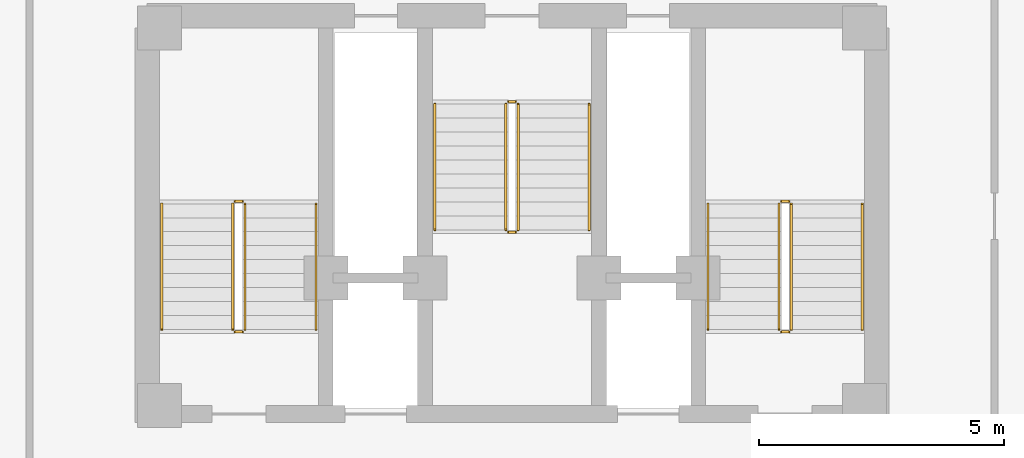
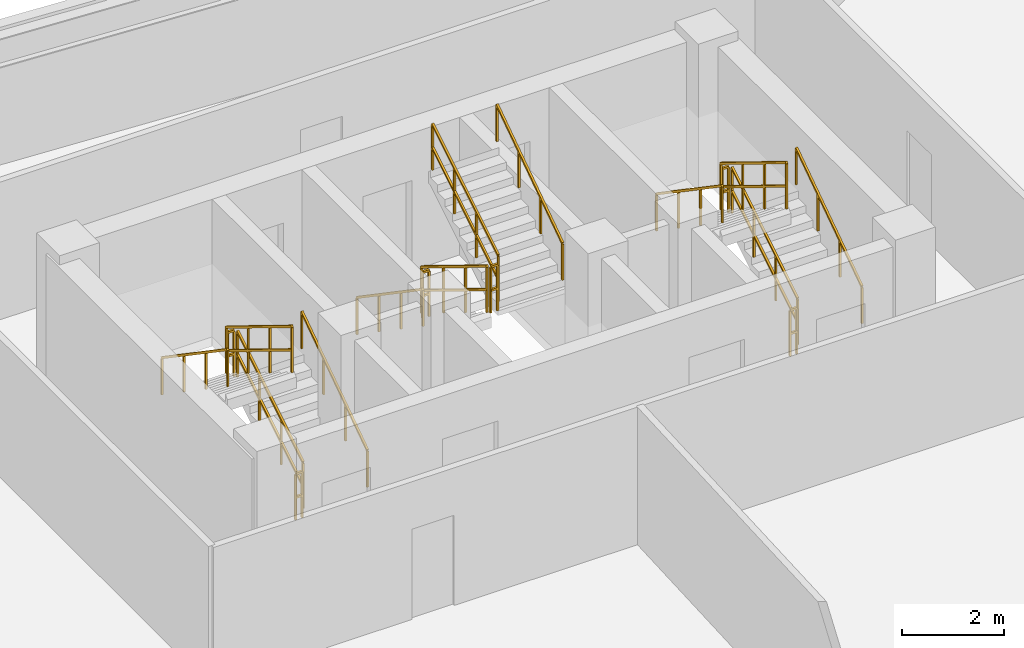
# One storey, part 8 of 8: 18 railings.
"""IFC4 building model written with IfcOpenShell, lengths in metres."""

import ifcopenshell
import ifcopenshell.guid

model = None  # the IFC model being written
_history = None  # IfcOwnerHistory: only IFC2X3 demands one
_inside = {}  # id of a spatial element -> (the spatial element, [elements in it])
_under = {}  # id of a project, library or spatial element -> (it, [spatial elements below it])
_declared = {}  # id of a project -> (the project, [libraries it declares])
_typed = {}  # id of a type object -> (the type object, [elements of that type])
_made_of = {}  # id of a material, layer set ... -> (it, [elements and type objects made of it])


def new_model(schema):
    """Start an empty IFC model of exactly this schema.

    Asked for "IFC4X3", IfcOpenShell would pick the latest addendum, in which some entities
    have other attributes; the version numbers below select the first issue.
    IFC2X3 requires an IfcOwnerHistory on every rooted entity: one is made here for all.
    """
    global model, _history
    if schema == "IFC4X3":
        model = ifcopenshell.file(schema_version=(4, 3, 0, 0))
    else:
        model = ifcopenshell.file(schema=schema)
    _inside.clear()
    _under.clear()
    _declared.clear()
    _typed.clear()
    _made_of.clear()
    _history = None
    if model.schema == "IFC2X3":
        org = make("IfcOrganization", Name="unknown")
        user = make(
            "IfcPersonAndOrganization",
            ThePerson=make("IfcPerson", FamilyName="unknown"),
            TheOrganization=org,
        )
        app = make(
            "IfcApplication",
            ApplicationDeveloper=org,
            Version="unknown",
            ApplicationFullName="unknown",
            ApplicationIdentifier="unknown",
        )
        _history = make(
            "IfcOwnerHistory",
            OwningUser=user,
            OwningApplication=app,
            ChangeAction="ADDED",
            CreationDate=0,
        )
    return model


def make(cls, **values):
    """One entity of the class cls with the attributes given. An attribute that is None is left unset."""
    return model.create_entity(
        cls, **{name: value for name, value in values.items() if value is not None}
    )


def rooted(cls, **values):
    """An entity with a GlobalId (a new one), such as an element, a storey or a relation."""
    return make(cls, GlobalId=ifcopenshell.guid.new(), OwnerHistory=_history, **values)


def si_unit(unit_type, name, prefix=None):
    """IfcSIUnit, for example si_unit("LENGTHUNIT", "METRE", prefix="MILLI")."""
    return make("IfcSIUnit", UnitType=unit_type, Prefix=prefix, Name=name)


def assignment(units):
    """IfcUnitAssignment: the units of a project."""
    return None if units is None else make("IfcUnitAssignment", Units=units)


def point(xyz):
    """IfcCartesianPoint."""
    return None if xyz is None else make("IfcCartesianPoint", Coordinates=xyz)


def direction(xyz):
    """IfcDirection."""
    return None if xyz is None else make("IfcDirection", DirectionRatios=xyz)


def frame(location, z_axis=None, x_axis=None):
    """IfcAxis2Placement3D, a coordinate frame: its origin and axes. An axis left out is left unset."""
    return make(
        "IfcAxis2Placement3D",
        Location=point(location),
        Axis=direction(z_axis),
        RefDirection=direction(x_axis),
    )


def frame_2d(location, x_axis=None):
    """IfcAxis2Placement2D, a coordinate frame in the plane: its origin and x axis."""
    return make(
        "IfcAxis2Placement2D", Location=point(location), RefDirection=direction(x_axis)
    )


def origin():
    """The frame at (0, 0, 0) with its axes left unset."""
    return frame((0.0, 0.0, 0.0))


def origin_2d():
    """The frame at (0, 0) in the plane with its x axis left unset."""
    return frame_2d((0.0, 0.0))


def place(relative_to, where):
    """IfcLocalPlacement: puts the frame where relative to a parent placement (None: the world)."""
    return make(
        "IfcLocalPlacement", PlacementRelTo=relative_to, RelativePlacement=where
    )


def context(
    kind, dimensions, precision=None, world=None, true_north=None, identifier=None
):
    """IfcGeometricRepresentationContext, for example the 3D "Model" context."""
    return make(
        "IfcGeometricRepresentationContext",
        ContextIdentifier=identifier,
        ContextType=kind,
        CoordinateSpaceDimension=dimensions,
        Precision=precision,
        WorldCoordinateSystem=world,
        TrueNorth=true_north,
    )


def subcontext(parent, identifier, kind, view, scale=None):
    """IfcGeometricRepresentationSubContext, for example "Body" below "Model"."""
    return make(
        "IfcGeometricRepresentationSubContext",
        ContextIdentifier=identifier,
        ContextType=kind,
        ParentContext=parent,
        TargetScale=scale,
        TargetView=view,
    )


def project(units=None, contexts=None):
    """IfcProject with its units and contexts."""
    return rooted(
        "IfcProject",
        Name="project",
        RepresentationContexts=contexts,
        UnitsInContext=assignment(units),
    )


def spatial(cls, under=None, at=None, **own):
    """A site, building, storey or space (cls), placed at a placement, below another one or the project."""
    s = rooted(cls, ObjectPlacement=at, **own)
    if under is not None:
        _under.setdefault(under.id(), (under, []))[1].append(s)
    return s


def profile(cls, at=None, kind="AREA", **sizes):
    """A parametric profile (cls). Its sizes go by their IFC names, for example OverallWidth=200.0."""
    return make(cls, ProfileType=kind, Position=at, **sizes)


def rectangle(**sizes):
    """IfcRectangleProfileDef."""
    return profile("IfcRectangleProfileDef", **sizes)


def extrude(swept, where, along, depth):
    """IfcExtrudedAreaSolid: the profile swept, set in the frame where, extruded along a direction by depth."""
    return make(
        "IfcExtrudedAreaSolid",
        SweptArea=swept,
        Position=where,
        ExtrudedDirection=direction(along),
        Depth=depth,
    )


def shape(context_of_items, identifier, shape_type, items):
    """IfcShapeRepresentation: the items that make up one representation, for example the "Body"."""
    return make(
        "IfcShapeRepresentation",
        ContextOfItems=context_of_items,
        RepresentationIdentifier=identifier,
        RepresentationType=shape_type,
        Items=items,
    )


def material(Name=None, Category=None):
    """IfcMaterial."""
    return make("IfcMaterial", Name=Name, Category=Category)


def made_of(thing, what):
    """Note that an element or type object is made of a material, layer set ...; save() writes the relation."""
    if what is not None:
        _made_of.setdefault(what.id(), (what, []))[1].append(thing)
    return thing


def type_object(cls, material=None, **own):
    """A type object (cls), such as IfcWallType, which elements share."""
    return made_of(rooted(cls, **own), material)


def element(
    cls,
    number,
    at=None,
    inside=None,
    cuts=None,
    type_object=None,
    material=None,
    context=None,
    identifier="Body",
    shape_type=None,
    held_by="IfcProductDefinitionShape",
    body=None,
    shapes=None,
    **own,
):
    """One element of the class cls, such as IfcWall. Its Tag is "e" and its number.

    at: its placement. inside: the storey or other place that contains it. cuts: it is an
    opening in that element (IfcRelVoidsElement). A single representation is given by context,
    identifier, shape_type and body (its items); several are given by shapes. held_by: the class
    of the entity that holds the representations. save() writes the other relations.
    """
    e = rooted(cls, Tag="e%d" % number, ObjectPlacement=at, **own)
    if body is not None:
        shapes = [shape(context, identifier, shape_type, body)]
    if shapes is not None:
        e.Representation = make(held_by, Representations=shapes)
    if inside is not None:
        _inside.setdefault(inside.id(), (inside, []))[1].append(e)
    if cuts is not None:
        rooted(
            "IfcRelVoidsElement", RelatingBuildingElement=cuts, RelatedOpeningElement=e
        )
    if type_object is not None:
        _typed.setdefault(type_object.id(), (type_object, []))[1].append(e)
    return made_of(e, material)


def aggregate(whole, parts):
    """IfcRelAggregates: a whole, such as a stair, and the parts it consists of."""
    return rooted("IfcRelAggregates", RelatingObject=whole, RelatedObjects=parts)


def save(model, path):
    """Write the relations noted so far, then the file.

    IfcRelAggregates (storeys below a building ...), IfcRelContainedInSpatialStructure (elements
    in a storey), IfcRelDefinesByType, IfcRelAssociatesMaterial and IfcRelDeclares: one each for
    every whole, place, type object, material and project.
    """
    for whole, parts in _under.values():
        aggregate(whole, parts)
    for where, things in _inside.values():
        rooted(
            "IfcRelContainedInSpatialStructure",
            RelatedElements=things,
            RelatingStructure=where,
        )
    for kind, things in _typed.values():
        rooted("IfcRelDefinesByType", RelatedObjects=things, RelatingType=kind)
    for what, things in _made_of.values():
        rooted("IfcRelAssociatesMaterial", RelatedObjects=things, RelatingMaterial=what)
    for by, libraries in _declared.values():
        rooted("IfcRelDeclares", RelatingContext=by, RelatedDefinitions=libraries)
    model.write(path)


model = new_model("IFC4")

# Units and contexts
model_context = context("Model", 3, precision=1e-05, world=origin(), true_north=direction((0.0, 1.0)))
body_context = subcontext(model_context, "Body", "Model", "MODEL_VIEW")
ifc_project = project(units=[si_unit("LENGTHUNIT", "METRE"), si_unit("AREAUNIT", "SQUARE_METRE"), si_unit("VOLUMEUNIT", "CUBIC_METRE"), si_unit("PLANEANGLEUNIT", "RADIAN"), si_unit("MASSUNIT", "GRAM", prefix="KILO")], contexts=[model_context])

# Site, building, storey
site_placement = place(None, origin())
site = spatial("IfcSite", under=ifc_project, at=site_placement, CompositionType="ELEMENT")
building_placement = place(site_placement, origin())
building = spatial("IfcBuilding", under=site, at=building_placement, Name="Apsidion Concourse Tower", CompositionType="ELEMENT")
storey_placement = place(building_placement, frame((0.0, 0.0, 332.5)))
storey = spatial("IfcBuildingStorey", under=building, at=storey_placement, Name="L78", CompositionType="ELEMENT", Elevation=332.5)

# Railings
ifc_material = material(Name="Brushed stainless steel 316", Category="steel")
railing_type_1 = type_object("IfcRailingType", Name="RL-GUARD-1100", PredefinedType="GUARDRAIL", material=ifc_material)
railing_1_placement = place(storey_placement, frame((-5.449951171875, 3.0, 0.175048828125)))
element("IfcRailing", 1, at=railing_1_placement, inside=storey, type_object=railing_type_1, Name="L78 ST1 stair guard 1", PredefinedType="GUARDRAIL", context=body_context, shape_type="SweptSolid", body=[
    extrude(rectangle(XDim=0.048095703125, YDim=0.048095703125, at=origin_2d()), frame((0.0, 0.0, 1.09619140625), z_axis=(0.0, 0.852173129349, 0.523259933127), x_axis=(-1.0, 0.0, 0.0)), (0.0, 0.0, 1.0), 3.009765625),
    extrude(rectangle(XDim=0.048095703125, YDim=0.048095703125, at=origin_2d()), frame((0.0, 0.0, 0.5361328125), z_axis=(0.0, 0.852173129349, 0.523259933127), x_axis=(-1.0, 0.0, 0.0)), (0.0, 0.0, 1.0), 3.009765625),
    extrude(rectangle(XDim=0.0419921875, YDim=0.0419921875, at=origin_2d()), origin(), (0.0, 0.0, 1.0), 1.072021484375),
    extrude(rectangle(XDim=0.0419921875, YDim=0.0419921875, at=origin_2d()), frame((0.0, 0.85498046875, 0.52490234375)), (0.0, 0.0, 1.0), 1.072021484375),
    extrude(rectangle(XDim=0.0419921875, YDim=0.0419921875, at=origin_2d()), frame((0.0, 1.7099609375, 1.050048828125)), (0.0, 0.0, 1.0), 1.072021484375),
    extrude(rectangle(XDim=0.0419921875, YDim=0.0419921875, at=origin_2d()), frame((0.0, 2.56494140625, 1.574951171875)), (0.0, 0.0, 1.0), 1.072021484375),
])
railing_2_placement = place(storey_placement, frame((-5.5, 5.614990234375, 1.75)))
element("IfcRailing", 2, at=railing_2_placement, inside=storey, type_object=railing_type_1, Name="L78 ST1 stair guard 2", PredefinedType="GUARDRAIL", context=body_context, shape_type="SweptSolid", body=[
    extrude(rectangle(XDim=0.048095703125, YDim=0.048095703125, at=origin_2d()), frame((0.0, 0.0, 1.09619140625), z_axis=(-1.0, 0.0, 0.0), x_axis=(0.0, -1.0, 0.0)), (0.0, 0.0, 1.0), 0.14990234375),
    extrude(rectangle(XDim=0.048095703125, YDim=0.048095703125, at=origin_2d()), frame((0.0, 0.0, 0.5361328125), z_axis=(-1.0, 0.0, 0.0), x_axis=(0.0, -1.0, 0.0)), (0.0, 0.0, 1.0), 0.14990234375),
    extrude(rectangle(XDim=0.0419921875, YDim=0.0419921875, at=origin_2d()), origin(), (0.0, 0.0, 1.0), 1.072021484375),
    extrude(rectangle(XDim=0.0419921875, YDim=0.0419921875, at=origin_2d()), frame((-0.14990234375, 0.0, 0.0)), (0.0, 0.0, 1.0), 1.072021484375),
])
railing_3_placement = place(storey_placement, frame((-5.699951171875, 5.56494140625, 1.925048828125)))
element("IfcRailing", 3, at=railing_3_placement, inside=storey, type_object=railing_type_1, Name="L78 ST1 stair guard 3", PredefinedType="GUARDRAIL", context=body_context, shape_type="SweptSolid", body=[
    extrude(rectangle(XDim=0.048095703125, YDim=0.048095703125, at=origin_2d()), frame((0.0, 0.0, 1.09619140625), z_axis=(0.0, -0.852173129349, 0.523259933127), x_axis=(1.0, 0.0, 0.0)), (0.0, 0.0, 1.0), 3.009765625),
    extrude(rectangle(XDim=0.048095703125, YDim=0.048095703125, at=origin_2d()), frame((0.0, 0.0, 0.5361328125), z_axis=(0.0, -0.852173129349, 0.523259933127), x_axis=(1.0, 0.0, 0.0)), (0.0, 0.0, 1.0), 3.009765625),
    extrude(rectangle(XDim=0.0419921875, YDim=0.0419921875, at=origin_2d()), origin(), (0.0, 0.0, 1.0), 1.072021484375),
    extrude(rectangle(XDim=0.0419921875, YDim=0.0419921875, at=origin_2d()), frame((0.0, -0.85498046875, 0.52490234375)), (0.0, 0.0, 1.0), 1.072021484375),
    extrude(rectangle(XDim=0.0419921875, YDim=0.0419921875, at=origin_2d()), frame((0.0, -1.7099609375, 1.050048828125)), (0.0, 0.0, 1.0), 1.072021484375),
    extrude(rectangle(XDim=0.0419921875, YDim=0.0419921875, at=origin_2d()), frame((0.0, -2.56494140625, 1.574951171875)), (0.0, 0.0, 1.0), 1.072021484375),
])
railing_4_placement = place(storey_placement, frame((-5.5, 2.949951171875, 0.0)))
element("IfcRailing", 4, at=railing_4_placement, inside=storey, type_object=railing_type_1, Name="L78 ST1 stair guard 4", PredefinedType="GUARDRAIL", context=body_context, shape_type="SweptSolid", body=[
    extrude(rectangle(XDim=0.048095703125, YDim=0.048095703125, at=origin_2d()), frame((0.0, 0.0, 1.09619140625), z_axis=(-1.0, 0.0, 0.0), x_axis=(0.0, -1.0, 0.0)), (0.0, 0.0, 1.0), 0.14990234375),
    extrude(rectangle(XDim=0.048095703125, YDim=0.048095703125, at=origin_2d()), frame((0.0, 0.0, 0.5361328125), z_axis=(-1.0, 0.0, 0.0), x_axis=(0.0, -1.0, 0.0)), (0.0, 0.0, 1.0), 0.14990234375),
    extrude(rectangle(XDim=0.0419921875, YDim=0.0419921875, at=origin_2d()), origin(), (0.0, 0.0, 1.0), 1.072021484375),
    extrude(rectangle(XDim=0.0419921875, YDim=0.0419921875, at=origin_2d()), frame((-0.14990234375, 0.0, 0.0)), (0.0, 0.0, 1.0), 1.072021484375),
])
railing_5_placement = place(storey_placement, frame((5.699951171875, 3.0, 0.175048828125)))
element("IfcRailing", 5, at=railing_5_placement, inside=storey, type_object=railing_type_1, Name="L78 ST2 stair guard 1", PredefinedType="GUARDRAIL", context=body_context, shape_type="SweptSolid", body=[
    extrude(rectangle(XDim=0.048095703125, YDim=0.048095703125, at=origin_2d()), frame((0.0, 0.0, 1.09619140625), z_axis=(0.0, 0.852173129349, 0.523259933127), x_axis=(-1.0, 0.0, 0.0)), (0.0, 0.0, 1.0), 3.009765625),
    extrude(rectangle(XDim=0.048095703125, YDim=0.048095703125, at=origin_2d()), frame((0.0, 0.0, 0.5361328125), z_axis=(0.0, 0.852173129349, 0.523259933127), x_axis=(-1.0, 0.0, 0.0)), (0.0, 0.0, 1.0), 3.009765625),
    extrude(rectangle(XDim=0.0419921875, YDim=0.0419921875, at=origin_2d()), origin(), (0.0, 0.0, 1.0), 1.072021484375),
    extrude(rectangle(XDim=0.0419921875, YDim=0.0419921875, at=origin_2d()), frame((0.0, 0.85498046875, 0.52490234375)), (0.0, 0.0, 1.0), 1.072021484375),
    extrude(rectangle(XDim=0.0419921875, YDim=0.0419921875, at=origin_2d()), frame((0.0, 1.7099609375, 1.050048828125)), (0.0, 0.0, 1.0), 1.072021484375),
    extrude(rectangle(XDim=0.0419921875, YDim=0.0419921875, at=origin_2d()), frame((0.0, 2.56494140625, 1.574951171875)), (0.0, 0.0, 1.0), 1.072021484375),
])
railing_6_placement = place(storey_placement, frame((5.64990234375, 5.614990234375, 1.75)))
element("IfcRailing", 6, at=railing_6_placement, inside=storey, type_object=railing_type_1, Name="L78 ST2 stair guard 2", PredefinedType="GUARDRAIL", context=body_context, shape_type="SweptSolid", body=[
    extrude(rectangle(XDim=0.048095703125, YDim=0.048095703125, at=origin_2d()), frame((0.0, 0.0, 1.09619140625), z_axis=(-1.0, 0.0, 0.0), x_axis=(0.0, -1.0, 0.0)), (0.0, 0.0, 1.0), 0.14990234375),
    extrude(rectangle(XDim=0.048095703125, YDim=0.048095703125, at=origin_2d()), frame((0.0, 0.0, 0.5361328125), z_axis=(-1.0, 0.0, 0.0), x_axis=(0.0, -1.0, 0.0)), (0.0, 0.0, 1.0), 0.14990234375),
    extrude(rectangle(XDim=0.0419921875, YDim=0.0419921875, at=origin_2d()), origin(), (0.0, 0.0, 1.0), 1.072021484375),
    extrude(rectangle(XDim=0.0419921875, YDim=0.0419921875, at=origin_2d()), frame((-0.14990234375, 0.0, 0.0)), (0.0, 0.0, 1.0), 1.072021484375),
])
railing_7_placement = place(storey_placement, frame((5.449951171875, 5.56494140625, 1.925048828125)))
element("IfcRailing", 7, at=railing_7_placement, inside=storey, type_object=railing_type_1, Name="L78 ST2 stair guard 3", PredefinedType="GUARDRAIL", context=body_context, shape_type="SweptSolid", body=[
    extrude(rectangle(XDim=0.048095703125, YDim=0.048095703125, at=origin_2d()), frame((0.0, 0.0, 1.09619140625), z_axis=(0.0, -0.852173129349, 0.523259933127), x_axis=(1.0, 0.0, 0.0)), (0.0, 0.0, 1.0), 3.009765625),
    extrude(rectangle(XDim=0.048095703125, YDim=0.048095703125, at=origin_2d()), frame((0.0, 0.0, 0.5361328125), z_axis=(0.0, -0.852173129349, 0.523259933127), x_axis=(1.0, 0.0, 0.0)), (0.0, 0.0, 1.0), 3.009765625),
    extrude(rectangle(XDim=0.0419921875, YDim=0.0419921875, at=origin_2d()), origin(), (0.0, 0.0, 1.0), 1.072021484375),
    extrude(rectangle(XDim=0.0419921875, YDim=0.0419921875, at=origin_2d()), frame((0.0, -0.85498046875, 0.52490234375)), (0.0, 0.0, 1.0), 1.072021484375),
    extrude(rectangle(XDim=0.0419921875, YDim=0.0419921875, at=origin_2d()), frame((0.0, -1.7099609375, 1.050048828125)), (0.0, 0.0, 1.0), 1.072021484375),
    extrude(rectangle(XDim=0.0419921875, YDim=0.0419921875, at=origin_2d()), frame((0.0, -2.56494140625, 1.574951171875)), (0.0, 0.0, 1.0), 1.072021484375),
])
railing_8_placement = place(storey_placement, frame((5.64990234375, 2.949951171875, 0.0)))
element("IfcRailing", 8, at=railing_8_placement, inside=storey, type_object=railing_type_1, Name="L78 ST2 stair guard 4", PredefinedType="GUARDRAIL", context=body_context, shape_type="SweptSolid", body=[
    extrude(rectangle(XDim=0.048095703125, YDim=0.048095703125, at=origin_2d()), frame((0.0, 0.0, 1.09619140625), z_axis=(-1.0, 0.0, 0.0), x_axis=(0.0, -1.0, 0.0)), (0.0, 0.0, 1.0), 0.14990234375),
    extrude(rectangle(XDim=0.048095703125, YDim=0.048095703125, at=origin_2d()), frame((0.0, 0.0, 0.5361328125), z_axis=(-1.0, 0.0, 0.0), x_axis=(0.0, -1.0, 0.0)), (0.0, 0.0, 1.0), 0.14990234375),
    extrude(rectangle(XDim=0.0419921875, YDim=0.0419921875, at=origin_2d()), origin(), (0.0, 0.0, 1.0), 1.072021484375),
    extrude(rectangle(XDim=0.0419921875, YDim=0.0419921875, at=origin_2d()), frame((-0.14990234375, 0.0, 0.0)), (0.0, 0.0, 1.0), 1.072021484375),
])
railing_9_placement = place(storey_placement, frame((-0.125, 7.60009765625, 0.175048828125)))
element("IfcRailing", 9, at=railing_9_placement, inside=storey, type_object=railing_type_1, Name="L78 ST3 stair guard 1", PredefinedType="GUARDRAIL", context=body_context, shape_type="SweptSolid", body=[
    extrude(rectangle(XDim=0.048095703125, YDim=0.048095703125, at=origin_2d()), frame((0.0, 0.0, 1.09619140625), z_axis=(0.0, -0.852195335862, 0.523223766217), x_axis=(1.0, 0.0, 0.0)), (0.0, 0.0, 1.0), 3.010009765625),
    extrude(rectangle(XDim=0.048095703125, YDim=0.048095703125, at=origin_2d()), frame((0.0, 0.0, 0.5361328125), z_axis=(0.0, -0.852195335862, 0.523223766217), x_axis=(1.0, 0.0, 0.0)), (0.0, 0.0, 1.0), 3.010009765625),
    extrude(rectangle(XDim=0.0419921875, YDim=0.0419921875, at=origin_2d()), origin(), (0.0, 0.0, 1.0), 1.072021484375),
    extrude(rectangle(XDim=0.0419921875, YDim=0.0419921875, at=origin_2d()), frame((0.0, -0.85498046875, 0.52490234375)), (0.0, 0.0, 1.0), 1.072021484375),
    extrude(rectangle(XDim=0.0419921875, YDim=0.0419921875, at=origin_2d()), frame((0.0, -1.710205078125, 1.050048828125)), (0.0, 0.0, 1.0), 1.072021484375),
    extrude(rectangle(XDim=0.0419921875, YDim=0.0419921875, at=origin_2d()), frame((0.0, -2.565185546875, 1.574951171875)), (0.0, 0.0, 1.0), 1.072021484375),
])
railing_10_placement = place(storey_placement, frame((-0.074951171875, 4.985107421875, 1.75)))
element("IfcRailing", 10, at=railing_10_placement, inside=storey, type_object=railing_type_1, Name="L78 ST3 stair guard 2", PredefinedType="GUARDRAIL", context=body_context, shape_type="SweptSolid", body=[
    extrude(rectangle(XDim=0.048095703125, YDim=0.048095703125, at=origin_2d()), frame((0.0, 0.0, 1.09619140625), z_axis=(1.0, 0.0, 0.0), x_axis=(0.0, 1.0, 0.0)), (0.0, 0.0, 1.0), 0.14990234375),
    extrude(rectangle(XDim=0.048095703125, YDim=0.048095703125, at=origin_2d()), frame((0.0, 0.0, 0.5361328125), z_axis=(1.0, 0.0, 0.0), x_axis=(0.0, 1.0, 0.0)), (0.0, 0.0, 1.0), 0.14990234375),
    extrude(rectangle(XDim=0.0419921875, YDim=0.0419921875, at=origin_2d()), origin(), (0.0, 0.0, 1.0), 1.072021484375),
    extrude(rectangle(XDim=0.0419921875, YDim=0.0419921875, at=origin_2d()), frame((0.14990234375, 0.0, 0.0)), (0.0, 0.0, 1.0), 1.072021484375),
])
railing_11_placement = place(storey_placement, frame((0.125, 5.034912109375, 1.925048828125)))
element("IfcRailing", 11, at=railing_11_placement, inside=storey, type_object=railing_type_1, Name="L78 ST3 stair guard 3", PredefinedType="GUARDRAIL", context=body_context, shape_type="SweptSolid", body=[
    extrude(rectangle(XDim=0.048095703125, YDim=0.048095703125, at=origin_2d()), frame((0.0, 0.0, 1.09619140625), z_axis=(0.0, 0.852195335862, 0.523223766217), x_axis=(-1.0, 0.0, 0.0)), (0.0, 0.0, 1.0), 3.010009765625),
    extrude(rectangle(XDim=0.048095703125, YDim=0.048095703125, at=origin_2d()), frame((0.0, 0.0, 0.5361328125), z_axis=(0.0, 0.852195335862, 0.523223766217), x_axis=(-1.0, 0.0, 0.0)), (0.0, 0.0, 1.0), 3.010009765625),
    extrude(rectangle(XDim=0.0419921875, YDim=0.0419921875, at=origin_2d()), origin(), (0.0, 0.0, 1.0), 1.072021484375),
    extrude(rectangle(XDim=0.0419921875, YDim=0.0419921875, at=origin_2d()), frame((0.0, 0.85498046875, 0.52490234375)), (0.0, 0.0, 1.0), 1.072021484375),
    extrude(rectangle(XDim=0.0419921875, YDim=0.0419921875, at=origin_2d()), frame((0.0, 1.710205078125, 1.050048828125)), (0.0, 0.0, 1.0), 1.072021484375),
    extrude(rectangle(XDim=0.0419921875, YDim=0.0419921875, at=origin_2d()), frame((0.0, 2.565185546875, 1.574951171875)), (0.0, 0.0, 1.0), 1.072021484375),
])
railing_12_placement = place(storey_placement, frame((-0.074951171875, 7.64990234375, 0.0)))
element("IfcRailing", 12, at=railing_12_placement, inside=storey, type_object=railing_type_1, Name="L78 ST3 stair guard 4", PredefinedType="GUARDRAIL", context=body_context, shape_type="SweptSolid", body=[
    extrude(rectangle(XDim=0.048095703125, YDim=0.048095703125, at=origin_2d()), frame((0.0, 0.0, 1.09619140625), z_axis=(1.0, 0.0, 0.0), x_axis=(0.0, 1.0, 0.0)), (0.0, 0.0, 1.0), 0.14990234375),
    extrude(rectangle(XDim=0.048095703125, YDim=0.048095703125, at=origin_2d()), frame((0.0, 0.0, 0.5361328125), z_axis=(1.0, 0.0, 0.0), x_axis=(0.0, 1.0, 0.0)), (0.0, 0.0, 1.0), 0.14990234375),
    extrude(rectangle(XDim=0.0419921875, YDim=0.0419921875, at=origin_2d()), origin(), (0.0, 0.0, 1.0), 1.072021484375),
    extrude(rectangle(XDim=0.0419921875, YDim=0.0419921875, at=origin_2d()), frame((0.14990234375, 0.0, 0.0)), (0.0, 0.0, 1.0), 1.072021484375),
])
railing_type_2 = type_object("IfcRailingType", Name="RL-HAND-900", PredefinedType="HANDRAIL", material=ifc_material)
railing_13_placement = place(storey_placement, frame((-4.0, 3.0, 0.175048828125)))
element("IfcRailing", 13, at=railing_13_placement, inside=storey, type_object=railing_type_2, Name="L78 ST1 stair handrail 1", PredefinedType="HANDRAIL", context=body_context, shape_type="SweptSolid", body=[
    extrude(rectangle(XDim=0.048095703125, YDim=0.048095703125, at=origin_2d()), frame((0.0, 0.0, 0.8759765625), z_axis=(0.0, 0.826050974716, 0.563595410885), x_axis=(-1.0, 0.0, 0.0)), (0.0, 0.0, 1.0), 3.10498046875),
    extrude(rectangle(XDim=0.0419921875, YDim=0.0419921875, at=origin_2d()), origin(), (0.0, 0.0, 1.0), 0.851806640625),
    extrude(rectangle(XDim=0.0419921875, YDim=0.0419921875, at=origin_2d()), frame((0.0, 0.85498046875, 0.583251953125)), (0.0, 0.0, 1.0), 0.851806640625),
    extrude(rectangle(XDim=0.0419921875, YDim=0.0419921875, at=origin_2d()), frame((0.0, 1.7099609375, 1.166748046875)), (0.0, 0.0, 1.0), 0.851806640625),
    extrude(rectangle(XDim=0.0419921875, YDim=0.0419921875, at=origin_2d()), frame((0.0, 2.56494140625, 1.75)), (0.0, 0.0, 1.0), 0.851806640625),
])
railing_14_placement = place(storey_placement, frame((-7.14990234375, 5.56494140625, 1.925048828125)))
element("IfcRailing", 14, at=railing_14_placement, inside=storey, type_object=railing_type_2, Name="L78 ST1 stair handrail 2", PredefinedType="HANDRAIL", context=body_context, shape_type="SweptSolid", body=[
    extrude(rectangle(XDim=0.048095703125, YDim=0.048095703125, at=origin_2d()), frame((0.0, 0.0, 0.8759765625), z_axis=(0.0, -0.826050974716, 0.563595410885), x_axis=(1.0, 0.0, 0.0)), (0.0, 0.0, 1.0), 3.10498046875),
    extrude(rectangle(XDim=0.0419921875, YDim=0.0419921875, at=origin_2d()), origin(), (0.0, 0.0, 1.0), 0.851806640625),
    extrude(rectangle(XDim=0.0419921875, YDim=0.0419921875, at=origin_2d()), frame((0.0, -0.85498046875, 0.583251953125)), (0.0, 0.0, 1.0), 0.851806640625),
    extrude(rectangle(XDim=0.0419921875, YDim=0.0419921875, at=origin_2d()), frame((0.0, -1.7099609375, 1.166748046875)), (0.0, 0.0, 1.0), 0.851806640625),
    extrude(rectangle(XDim=0.0419921875, YDim=0.0419921875, at=origin_2d()), frame((0.0, -2.56494140625, 1.75)), (0.0, 0.0, 1.0), 0.851806640625),
])
railing_15_placement = place(storey_placement, frame((7.14990234375, 3.0, 0.175048828125)))
element("IfcRailing", 15, at=railing_15_placement, inside=storey, type_object=railing_type_2, Name="L78 ST2 stair handrail 1", PredefinedType="HANDRAIL", context=body_context, shape_type="SweptSolid", body=[
    extrude(rectangle(XDim=0.048095703125, YDim=0.048095703125, at=origin_2d()), frame((0.0, 0.0, 0.8759765625), z_axis=(0.0, 0.826050974716, 0.563595410885), x_axis=(-1.0, 0.0, 0.0)), (0.0, 0.0, 1.0), 3.10498046875),
    extrude(rectangle(XDim=0.0419921875, YDim=0.0419921875, at=origin_2d()), origin(), (0.0, 0.0, 1.0), 0.851806640625),
    extrude(rectangle(XDim=0.0419921875, YDim=0.0419921875, at=origin_2d()), frame((0.0, 0.85498046875, 0.583251953125)), (0.0, 0.0, 1.0), 0.851806640625),
    extrude(rectangle(XDim=0.0419921875, YDim=0.0419921875, at=origin_2d()), frame((0.0, 1.7099609375, 1.166748046875)), (0.0, 0.0, 1.0), 0.851806640625),
    extrude(rectangle(XDim=0.0419921875, YDim=0.0419921875, at=origin_2d()), frame((0.0, 2.56494140625, 1.75)), (0.0, 0.0, 1.0), 0.851806640625),
])
railing_16_placement = place(storey_placement, frame((4.0, 5.56494140625, 1.925048828125)))
element("IfcRailing", 16, at=railing_16_placement, inside=storey, type_object=railing_type_2, Name="L78 ST2 stair handrail 2", PredefinedType="HANDRAIL", context=body_context, shape_type="SweptSolid", body=[
    extrude(rectangle(XDim=0.048095703125, YDim=0.048095703125, at=origin_2d()), frame((0.0, 0.0, 0.8759765625), z_axis=(0.0, -0.826050974716, 0.563595410885), x_axis=(1.0, 0.0, 0.0)), (0.0, 0.0, 1.0), 3.10498046875),
    extrude(rectangle(XDim=0.0419921875, YDim=0.0419921875, at=origin_2d()), origin(), (0.0, 0.0, 1.0), 0.851806640625),
    extrude(rectangle(XDim=0.0419921875, YDim=0.0419921875, at=origin_2d()), frame((0.0, -0.85498046875, 0.583251953125)), (0.0, 0.0, 1.0), 0.851806640625),
    extrude(rectangle(XDim=0.0419921875, YDim=0.0419921875, at=origin_2d()), frame((0.0, -1.7099609375, 1.166748046875)), (0.0, 0.0, 1.0), 0.851806640625),
    extrude(rectangle(XDim=0.0419921875, YDim=0.0419921875, at=origin_2d()), frame((0.0, -2.56494140625, 1.75)), (0.0, 0.0, 1.0), 0.851806640625),
])
railing_17_placement = place(storey_placement, frame((-1.574951171875, 7.60009765625, 0.175048828125)))
element("IfcRailing", 17, at=railing_17_placement, inside=storey, type_object=railing_type_2, Name="L78 ST3 stair handrail 1", PredefinedType="HANDRAIL", context=body_context, shape_type="SweptSolid", body=[
    extrude(rectangle(XDim=0.048095703125, YDim=0.048095703125, at=origin_2d()), frame((0.0, 0.0, 0.8759765625), z_axis=(0.0, -0.826075947217, 0.563558807428), x_axis=(1.0, 0.0, 0.0)), (0.0, 0.0, 1.0), 3.105224609375),
    extrude(rectangle(XDim=0.0419921875, YDim=0.0419921875, at=origin_2d()), origin(), (0.0, 0.0, 1.0), 0.851806640625),
    extrude(rectangle(XDim=0.0419921875, YDim=0.0419921875, at=origin_2d()), frame((0.0, -0.85498046875, 0.583251953125)), (0.0, 0.0, 1.0), 0.851806640625),
    extrude(rectangle(XDim=0.0419921875, YDim=0.0419921875, at=origin_2d()), frame((0.0, -1.710205078125, 1.166748046875)), (0.0, 0.0, 1.0), 0.851806640625),
    extrude(rectangle(XDim=0.0419921875, YDim=0.0419921875, at=origin_2d()), frame((0.0, -2.565185546875, 1.75)), (0.0, 0.0, 1.0), 0.851806640625),
])
railing_18_placement = place(storey_placement, frame((1.574951171875, 5.034912109375, 1.925048828125)))
element("IfcRailing", 18, at=railing_18_placement, inside=storey, type_object=railing_type_2, Name="L78 ST3 stair handrail 2", PredefinedType="HANDRAIL", context=body_context, shape_type="SweptSolid", body=[
    extrude(rectangle(XDim=0.048095703125, YDim=0.048095703125, at=origin_2d()), frame((0.0, 0.0, 0.8759765625), z_axis=(0.0, 0.826075947217, 0.563558807428), x_axis=(-1.0, 0.0, 0.0)), (0.0, 0.0, 1.0), 3.105224609375),
    extrude(rectangle(XDim=0.0419921875, YDim=0.0419921875, at=origin_2d()), origin(), (0.0, 0.0, 1.0), 0.851806640625),
    extrude(rectangle(XDim=0.0419921875, YDim=0.0419921875, at=origin_2d()), frame((0.0, 0.85498046875, 0.583251953125)), (0.0, 0.0, 1.0), 0.851806640625),
    extrude(rectangle(XDim=0.0419921875, YDim=0.0419921875, at=origin_2d()), frame((0.0, 1.710205078125, 1.166748046875)), (0.0, 0.0, 1.0), 0.851806640625),
    extrude(rectangle(XDim=0.0419921875, YDim=0.0419921875, at=origin_2d()), frame((0.0, 2.565185546875, 1.75)), (0.0, 0.0, 1.0), 0.851806640625),
])

save(model, "model.ifc")
